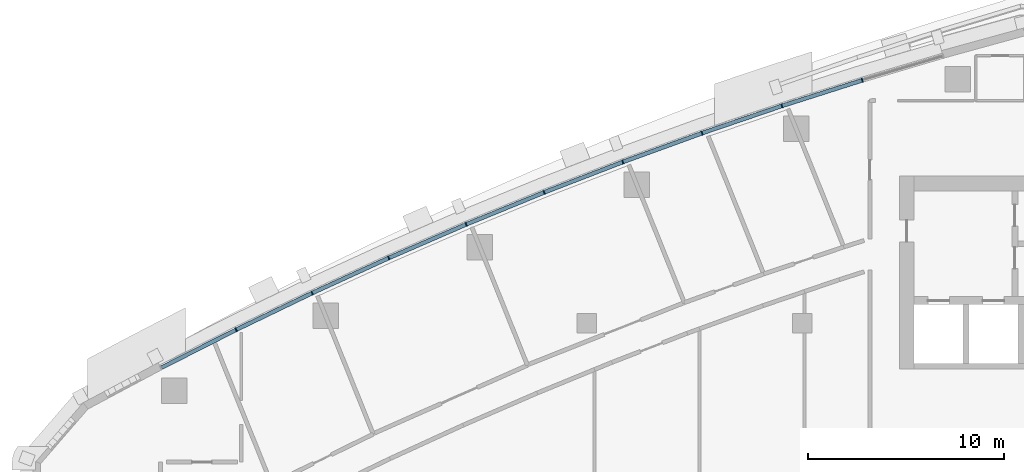
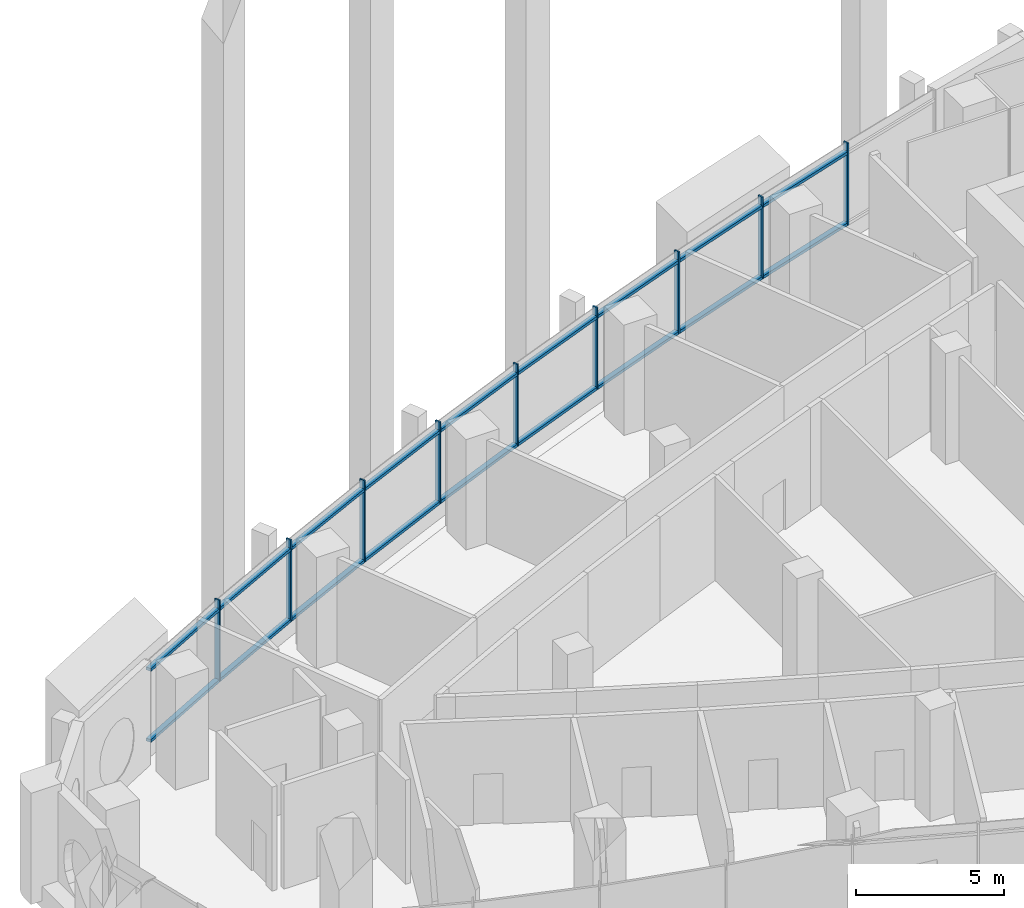
# One storey, part 4 of 19: 27 members, 5 elements without a shape of their own.
"""IFC4 building model written with IfcOpenShell, lengths in metres."""

from ifc_helpers import new_model, si_unit, direction, frame, origin, origin_2d, place, context, subcontext, project, spatial, rectangle, extrude, material, layer, layer_set, material_profile, profile_set, type_object, element, aggregate, save


model = new_model("IFC4")

# Units and contexts
model_context = context("Model", 3, precision=1e-05, world=origin(), true_north=direction((0.0, 1.0)))
body_context = subcontext(model_context, "Body", "Model", "MODEL_VIEW")
ifc_project = project(units=[si_unit("LENGTHUNIT", "METRE"), si_unit("AREAUNIT", "SQUARE_METRE"), si_unit("VOLUMEUNIT", "CUBIC_METRE"), si_unit("PLANEANGLEUNIT", "RADIAN"), si_unit("MASSUNIT", "GRAM", prefix="KILO")], contexts=[model_context])

# Site, building, storey
site_placement = place(None, origin())
site = spatial("IfcSite", under=ifc_project, at=site_placement, CompositionType="ELEMENT")
building_placement = place(site_placement, origin())
building = spatial("IfcBuilding", under=site, at=building_placement, Name="Ostrand Prow Hotel Tower", CompositionType="ELEMENT")
storey_placement = place(building_placement, frame((0.0, 0.0, 170.89990234375)))
storey = spatial("IfcBuildingStorey", under=building, at=storey_placement, Name="L42", CompositionType="ELEMENT", Elevation=170.89990234375)

# Curtain wall, members
ifc_material_1 = material(Name="Insulated glass in bronze anodised frame", Category="glass")
ifc_layer = layer(ifc_material_1, 0.199951171875)
ifc_layer_set = layer_set([ifc_layer], Name="Insulated glass in bronze anodised frame")
curtain_wall_type = type_object("IfcCurtainWallType", Name="Sky lobby full-height curtain wall", PredefinedType="NOTDEFINED", material=ifc_layer_set)
curtain_wall_1_placement = place(storey_placement, origin())
curtain_wall_1 = element("IfcCurtainWall", 1, at=curtain_wall_1_placement, inside=storey, type_object=curtain_wall_type, Name="CW3 run CWN1", PredefinedType="NOTDEFINED")
ifc_material_2 = material(Name="Bronze anodised aluminium", Category="aluminium")
ifc_material_profile_1 = material_profile(ifc_material_2, rectangle(XDim=0.199951171875, YDim=0.06005859375, at=origin_2d()), Name="Mullion 60x200 bronze anodised aluminium")
ifc_profile_set_1 = profile_set([ifc_material_profile_1], Name="Bronze anodised aluminium")
member_type_1 = type_object("IfcMemberType", Name="Mullion 60x200 bronze anodised aluminium", PredefinedType="MULLION", material=ifc_profile_set_1)
member_1_placement = place(storey_placement, frame((48.055419921875, 21.39453125, 0.900146484375), z_axis=(0.0, 0.0, 1.0), x_axis=(0.303786970008, -0.952739983864, 0.0)))
member_1 = element("IfcMember", 2, at=member_1_placement, type_object=member_type_1, Name="CW3 mullion 2", PredefinedType="MULLION", context=body_context, shape_type="SweptSolid", body=[
    extrude(rectangle(XDim=0.199951171875, YDim=0.06005859375, at=origin_2d()), origin(), (0.0, 0.0, 1.0), 3.39990234375),
])
member_2_placement = place(storey_placement, frame((43.95361328125, 20.086669921875, 0.900146484375), z_axis=(0.0, 0.0, 1.0), x_axis=(0.303786970008, -0.952739983864, 0.0)))
member_2 = element("IfcMember", 3, at=member_2_placement, type_object=member_type_1, Name="CW3 mullion 3", PredefinedType="MULLION", context=body_context, shape_type="SweptSolid", body=[
    extrude(rectangle(XDim=0.199951171875, YDim=0.06005859375, at=origin_2d()), origin(), (0.0, 0.0, 1.0), 3.39990234375),
])

curtain_wall_2_placement = place(storey_placement, origin())
curtain_wall_2 = element("IfcCurtainWall", 4, at=curtain_wall_2_placement, inside=storey, type_object=curtain_wall_type, Name="CW3 run CWN2", PredefinedType="NOTDEFINED")
member_3_placement = place(storey_placement, frame((39.87939453125, 18.696533203125, 0.900146484375), z_axis=(0.0, 0.0, 1.0), x_axis=(0.341897134919, -0.939737383067, 0.0)))
member_3 = element("IfcMember", 5, at=member_3_placement, type_object=member_type_1, Name="CW3 mullion 2", PredefinedType="MULLION", context=body_context, shape_type="SweptSolid", body=[
    extrude(rectangle(XDim=0.199951171875, YDim=0.06005859375, at=origin_2d()), origin(), (0.0, 0.0, 1.0), 3.39990234375),
])
member_4_placement = place(storey_placement, frame((35.833740234375, 17.224609375, 0.900146484375), z_axis=(0.0, 0.0, 1.0), x_axis=(0.341897134919, -0.939737383067, 0.0)))
member_4 = element("IfcMember", 6, at=member_4_placement, type_object=member_type_1, Name="CW3 mullion 3", PredefinedType="MULLION", context=body_context, shape_type="SweptSolid", body=[
    extrude(rectangle(XDim=0.199951171875, YDim=0.06005859375, at=origin_2d()), origin(), (0.0, 0.0, 1.0), 3.39990234375),
])

curtain_wall_3_placement = place(storey_placement, origin())
curtain_wall_3 = element("IfcCurtainWall", 7, at=curtain_wall_3_placement, inside=storey, type_object=curtain_wall_type, Name="CW3 run CWN3", PredefinedType="NOTDEFINED")
member_5_placement = place(storey_placement, frame((31.818603515625, 15.671630859375, 0.900146484375), z_axis=(0.0, 0.0, 1.0), x_axis=(0.379452929936, -0.925211042932, 0.0)))
member_5 = element("IfcMember", 8, at=member_5_placement, type_object=member_type_1, Name="CW3 mullion 2", PredefinedType="MULLION", context=body_context, shape_type="SweptSolid", body=[
    extrude(rectangle(XDim=0.199951171875, YDim=0.06005859375, at=origin_2d()), origin(), (0.0, 0.0, 1.0), 3.39990234375),
])
member_6_placement = place(storey_placement, frame((27.83544921875, 14.0380859375, 0.900146484375), z_axis=(0.0, 0.0, 1.0), x_axis=(0.379452929936, -0.925211042932, 0.0)))
member_6 = element("IfcMember", 9, at=member_6_placement, type_object=member_type_1, Name="CW3 mullion 3", PredefinedType="MULLION", context=body_context, shape_type="SweptSolid", body=[
    extrude(rectangle(XDim=0.199951171875, YDim=0.06005859375, at=origin_2d()), origin(), (0.0, 0.0, 1.0), 3.39990234375),
])

curtain_wall_4_placement = place(storey_placement, origin())
curtain_wall_4 = element("IfcCurtainWall", 10, at=curtain_wall_4_placement, inside=storey, type_object=curtain_wall_type, Name="CW3 run CWN4", PredefinedType="NOTDEFINED")
member_7_placement = place(storey_placement, frame((23.885986328125, 12.32470703125, 0.900146484375), z_axis=(0.0, 0.0, 1.0), x_axis=(0.416393460127, -0.909184517226, 0.0)))
member_7 = element("IfcMember", 11, at=member_7_placement, type_object=member_type_1, Name="CW3 mullion 2", PredefinedType="MULLION", context=body_context, shape_type="SweptSolid", body=[
    extrude(rectangle(XDim=0.199951171875, YDim=0.06005859375, at=origin_2d()), origin(), (0.0, 0.0, 1.0), 3.39990234375),
])
member_8_placement = place(storey_placement, frame((19.971923828125, 10.531982421875, 0.900146484375), z_axis=(0.0, 0.0, 1.0), x_axis=(0.416393460127, -0.909184517226, 0.0)))
member_8 = element("IfcMember", 12, at=member_8_placement, type_object=member_type_1, Name="CW3 mullion 3", PredefinedType="MULLION", context=body_context, shape_type="SweptSolid", body=[
    extrude(rectangle(XDim=0.199951171875, YDim=0.06005859375, at=origin_2d()), origin(), (0.0, 0.0, 1.0), 3.39990234375),
])

# Curtain wall, member
curtain_wall_5_placement = place(storey_placement, origin())
curtain_wall_5 = element("IfcCurtainWall", 13, at=curtain_wall_5_placement, inside=storey, type_object=curtain_wall_type, Name="CW3 run CWN5", PredefinedType="NOTDEFINED")
member_9_placement = place(storey_placement, frame((16.0947265625, 8.660888671875, 0.900146484375), z_axis=(0.0, 0.0, 1.0), x_axis=(0.452658828186, -0.891683792196, 0.0)))
member_9 = element("IfcMember", 14, at=member_9_placement, type_object=member_type_1, Name="CW3 mullion 2", PredefinedType="MULLION", context=body_context, shape_type="SweptSolid", body=[
    extrude(rectangle(XDim=0.199951171875, YDim=0.06005859375, at=origin_2d()), origin(), (0.0, 0.0, 1.0), 3.39990234375),
])

# Member
ifc_material_3 = material(Name="Bronze anodised aluminium", Category="aluminium")
ifc_material_profile_2 = material_profile(ifc_material_3, rectangle(XDim=0.199951171875, YDim=0.1201171875, at=origin_2d()), Name="Transom 120x200 bronze anodised aluminium")
ifc_profile_set_2 = profile_set([ifc_material_profile_2], Name="Bronze anodised aluminium")
member_type_2 = type_object("IfcMemberType", Name="Transom 120x200 bronze anodised aluminium", PredefinedType="USERDEFINED", material=ifc_profile_set_2)
member_10_placement = place(storey_placement, frame((48.026611328125, 21.385498046875, 0.960205078125), z_axis=(-0.952737512605, -0.303794720289, 0.0), x_axis=(0.303794720289, -0.952737512605, 0.0)))
member_10 = element("IfcMember", 15, at=member_10_placement, type_object=member_type_2, Name="CW3 transom 2.1", ObjectType="TRANSOM", PredefinedType="USERDEFINED", context=body_context, shape_type="SweptSolid", body=[
    extrude(rectangle(XDim=0.199951171875, YDim=0.1201171875, at=origin_2d()), origin(), (0.0, 0.0, 1.0), 4.244873046875),
])

member_11_placement = place(storey_placement, frame((48.026611328125, 21.385498046875, 3.900146484375), z_axis=(-0.952737512605, -0.303794720289, 0.0), x_axis=(0.303794720289, -0.952737512605, 0.0)))
member_11 = element("IfcMember", 16, at=member_11_placement, type_object=member_type_2, Name="CW3 transom 2.2", ObjectType="TRANSOM", PredefinedType="USERDEFINED", context=body_context, shape_type="SweptSolid", body=[
    extrude(rectangle(XDim=0.199951171875, YDim=0.1201171875, at=origin_2d()), origin(), (0.0, 0.0, 1.0), 4.244873046875),
])

aggregate(curtain_wall_1, [member_1, member_2, member_10, member_11])

member_12_placement = place(storey_placement, frame((43.92529296875, 20.0771484375, 0.960205078125), z_axis=(-0.946422327772, -0.322931536852, 0.0), x_axis=(0.322931536852, -0.946422327772, 0.0)))
member_12 = element("IfcMember", 17, at=member_12_placement, type_object=member_type_2, Name="CW3 transom 1.1", ObjectType="TRANSOM", PredefinedType="USERDEFINED", context=body_context, shape_type="SweptSolid", body=[
    extrude(rectangle(XDim=0.199951171875, YDim=0.1201171875, at=origin_2d()), origin(), (0.0, 0.0, 1.0), 4.2451171875),
])

member_13_placement = place(storey_placement, frame((43.92529296875, 20.0771484375, 3.900146484375), z_axis=(-0.946422327772, -0.322931536852, 0.0), x_axis=(0.322931536852, -0.946422327772, 0.0)))
member_13 = element("IfcMember", 18, at=member_13_placement, type_object=member_type_2, Name="CW3 transom 1.2", ObjectType="TRANSOM", PredefinedType="USERDEFINED", context=body_context, shape_type="SweptSolid", body=[
    extrude(rectangle(XDim=0.199951171875, YDim=0.1201171875, at=origin_2d()), origin(), (0.0, 0.0, 1.0), 4.2451171875),
])

member_14_placement = place(storey_placement, frame((39.85107421875, 18.686279296875, 0.960205078125), z_axis=(-0.939753116272, -0.341853887584, 0.0), x_axis=(0.341853887584, -0.939753116272, 0.0)))
member_14 = element("IfcMember", 19, at=member_14_placement, type_object=member_type_2, Name="CW3 transom 2.1", ObjectType="TRANSOM", PredefinedType="USERDEFINED", context=body_context, shape_type="SweptSolid", body=[
    extrude(rectangle(XDim=0.199951171875, YDim=0.1201171875, at=origin_2d()), origin(), (0.0, 0.0, 1.0), 4.2451171875),
])

member_15_placement = place(storey_placement, frame((39.85107421875, 18.686279296875, 3.900146484375), z_axis=(-0.939753116272, -0.341853887584, 0.0), x_axis=(0.341853887584, -0.939753116272, 0.0)))
member_15 = element("IfcMember", 20, at=member_15_placement, type_object=member_type_2, Name="CW3 transom 2.2", ObjectType="TRANSOM", PredefinedType="USERDEFINED", context=body_context, shape_type="SweptSolid", body=[
    extrude(rectangle(XDim=0.199951171875, YDim=0.1201171875, at=origin_2d()), origin(), (0.0, 0.0, 1.0), 4.2451171875),
])

aggregate(curtain_wall_2, [member_3, member_4, member_12, member_13, member_14, member_15])

member_16_placement = place(storey_placement, frame((35.8056640625, 17.2138671875, 0.960205078125), z_axis=(-0.932675482501, -0.360716570651, 0.0), x_axis=(0.360716570651, -0.932675482501, 0.0)))
member_16 = element("IfcMember", 21, at=member_16_placement, type_object=member_type_2, Name="CW3 transom 1.1", ObjectType="TRANSOM", PredefinedType="USERDEFINED", context=body_context, shape_type="SweptSolid", body=[
    extrude(rectangle(XDim=0.199951171875, YDim=0.1201171875, at=origin_2d()), origin(), (0.0, 0.0, 1.0), 4.2451171875),
])

member_17_placement = place(storey_placement, frame((35.8056640625, 17.2138671875, 3.900146484375), z_axis=(-0.932675482501, -0.360716570651, 0.0), x_axis=(0.360716570651, -0.932675482501, 0.0)))
member_17 = element("IfcMember", 22, at=member_17_placement, type_object=member_type_2, Name="CW3 transom 1.2", ObjectType="TRANSOM", PredefinedType="USERDEFINED", context=body_context, shape_type="SweptSolid", body=[
    extrude(rectangle(XDim=0.199951171875, YDim=0.1201171875, at=origin_2d()), origin(), (0.0, 0.0, 1.0), 4.2451171875),
])

member_18_placement = place(storey_placement, frame((31.790771484375, 15.660400390625, 0.960205078125), z_axis=(-0.925213143858, -0.379447807258, 0.0), x_axis=(0.379447807258, -0.925213143858, 0.0)))
member_18 = element("IfcMember", 23, at=member_18_placement, type_object=member_type_2, Name="CW3 transom 2.1", ObjectType="TRANSOM", PredefinedType="USERDEFINED", context=body_context, shape_type="SweptSolid", body=[
    extrude(rectangle(XDim=0.199951171875, YDim=0.1201171875, at=origin_2d()), origin(), (0.0, 0.0, 1.0), 4.2451171875),
])

member_19_placement = place(storey_placement, frame((31.790771484375, 15.660400390625, 3.900146484375), z_axis=(-0.925213143858, -0.379447807258, 0.0), x_axis=(0.379447807258, -0.925213143858, 0.0)))
member_19 = element("IfcMember", 24, at=member_19_placement, type_object=member_type_2, Name="CW3 transom 2.2", ObjectType="TRANSOM", PredefinedType="USERDEFINED", context=body_context, shape_type="SweptSolid", body=[
    extrude(rectangle(XDim=0.199951171875, YDim=0.1201171875, at=origin_2d()), origin(), (0.0, 0.0, 1.0), 4.2451171875),
])

aggregate(curtain_wall_3, [member_5, member_6, member_16, member_17, member_18, member_19])

member_20_placement = place(storey_placement, frame((27.807861328125, 14.026123046875, 0.960205078125), z_axis=(-0.917389785482, -0.397989926371, 0.0), x_axis=(0.397989926371, -0.917389785482, 0.0)))
member_20 = element("IfcMember", 25, at=member_20_placement, type_object=member_type_2, Name="CW3 transom 1.1", ObjectType="TRANSOM", PredefinedType="USERDEFINED", context=body_context, shape_type="SweptSolid", body=[
    extrude(rectangle(XDim=0.199951171875, YDim=0.1201171875, at=origin_2d()), origin(), (0.0, 0.0, 1.0), 4.244873046875),
])

member_21_placement = place(storey_placement, frame((27.807861328125, 14.026123046875, 3.900146484375), z_axis=(-0.917389785482, -0.397989926371, 0.0), x_axis=(0.397989926371, -0.917389785482, 0.0)))
member_21 = element("IfcMember", 26, at=member_21_placement, type_object=member_type_2, Name="CW3 transom 1.2", ObjectType="TRANSOM", PredefinedType="USERDEFINED", context=body_context, shape_type="SweptSolid", body=[
    extrude(rectangle(XDim=0.199951171875, YDim=0.1201171875, at=origin_2d()), origin(), (0.0, 0.0, 1.0), 4.244873046875),
])

member_22_placement = place(storey_placement, frame((23.858642578125, 12.312255859375, 0.960205078125), z_axis=(-0.909159196143, -0.416448743628, 0.0), x_axis=(0.416448743628, -0.909159196143, 0.0)))
member_22 = element("IfcMember", 27, at=member_22_placement, type_object=member_type_2, Name="CW3 transom 2.1", ObjectType="TRANSOM", PredefinedType="USERDEFINED", context=body_context, shape_type="SweptSolid", body=[
    extrude(rectangle(XDim=0.199951171875, YDim=0.1201171875, at=origin_2d()), origin(), (0.0, 0.0, 1.0), 4.244873046875),
])

member_23_placement = place(storey_placement, frame((23.858642578125, 12.312255859375, 3.900146484375), z_axis=(-0.909159196143, -0.416448743628, 0.0), x_axis=(0.416448743628, -0.909159196143, 0.0)))
member_23 = element("IfcMember", 28, at=member_23_placement, type_object=member_type_2, Name="CW3 transom 2.2", ObjectType="TRANSOM", PredefinedType="USERDEFINED", context=body_context, shape_type="SweptSolid", body=[
    extrude(rectangle(XDim=0.199951171875, YDim=0.1201171875, at=origin_2d()), origin(), (0.0, 0.0, 1.0), 4.244873046875),
])

aggregate(curtain_wall_4, [member_7, member_8, member_20, member_21, member_22, member_23])

member_24_placement = place(storey_placement, frame((19.94482421875, 10.51904296875, 0.960205078125), z_axis=(-0.900619174345, -0.434609137965, 0.0), x_axis=(0.434609137965, -0.900619174345, 0.0)))
member_24 = element("IfcMember", 29, at=member_24_placement, type_object=member_type_2, Name="CW3 transom 1.1", ObjectType="TRANSOM", PredefinedType="USERDEFINED", context=body_context, shape_type="SweptSolid", body=[
    extrude(rectangle(XDim=0.199951171875, YDim=0.1201171875, at=origin_2d()), origin(), (0.0, 0.0, 1.0), 4.2451171875),
])

member_25_placement = place(storey_placement, frame((19.94482421875, 10.51904296875, 3.900146484375), z_axis=(-0.900619174345, -0.434609137965, 0.0), x_axis=(0.434609137965, -0.900619174345, 0.0)))
member_25 = element("IfcMember", 30, at=member_25_placement, type_object=member_type_2, Name="CW3 transom 1.2", ObjectType="TRANSOM", PredefinedType="USERDEFINED", context=body_context, shape_type="SweptSolid", body=[
    extrude(rectangle(XDim=0.199951171875, YDim=0.1201171875, at=origin_2d()), origin(), (0.0, 0.0, 1.0), 4.2451171875),
])

member_26_placement = place(storey_placement, frame((16.06787109375, 8.6474609375, 0.960205078125), z_axis=(-0.891672840777, -0.452680400526, 0.0), x_axis=(0.452680400526, -0.891672840777, 0.0)))
member_26 = element("IfcMember", 31, at=member_26_placement, type_object=member_type_2, Name="CW3 transom 2.1", ObjectType="TRANSOM", PredefinedType="USERDEFINED", context=body_context, shape_type="SweptSolid", body=[
    extrude(rectangle(XDim=0.199951171875, YDim=0.1201171875, at=origin_2d()), origin(), (0.0, 0.0, 1.0), 4.2451171875),
])

member_27_placement = place(storey_placement, frame((16.06787109375, 8.6474609375, 3.900146484375), z_axis=(-0.891672840777, -0.452680400526, 0.0), x_axis=(0.452680400526, -0.891672840777, 0.0)))
member_27 = element("IfcMember", 32, at=member_27_placement, type_object=member_type_2, Name="CW3 transom 2.2", ObjectType="TRANSOM", PredefinedType="USERDEFINED", context=body_context, shape_type="SweptSolid", body=[
    extrude(rectangle(XDim=0.199951171875, YDim=0.1201171875, at=origin_2d()), origin(), (0.0, 0.0, 1.0), 4.2451171875),
])

aggregate(curtain_wall_5, [member_9, member_24, member_25, member_26, member_27])

save(model, "model.ifc")
